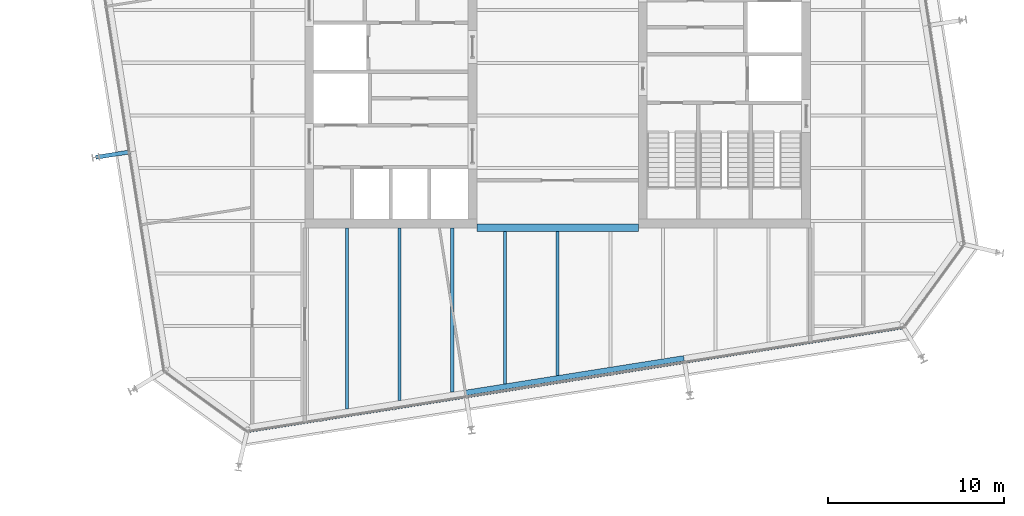
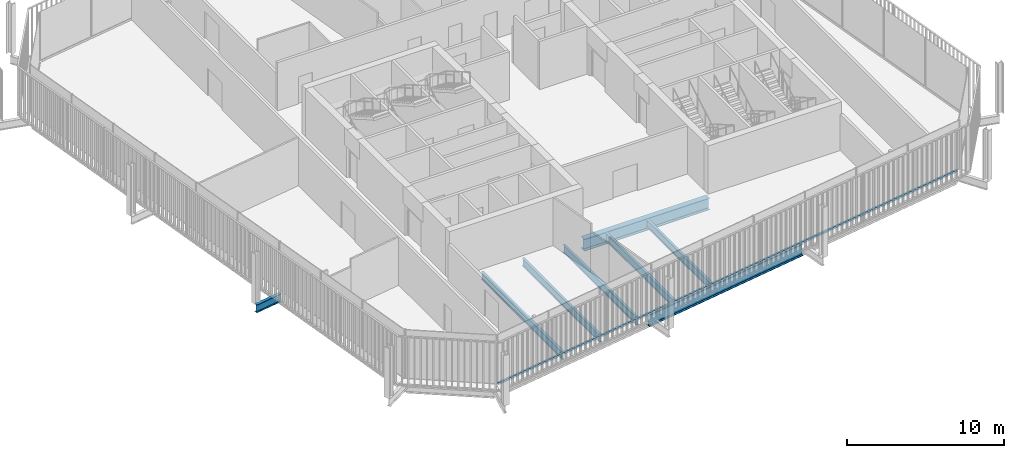
# One storey, part 3 of 20: 8 beams, 1 member, 1 element without a shape of its own.
"""IFC4 building model written with IfcOpenShell, lengths in metres."""

from ifc_helpers import new_model, si_unit, direction, frame, origin, origin_2d, place, context, subcontext, project, spatial, rectangle, i_section, extrude, material, layer, layer_set, material_profile, profile_set, type_object, element, aggregate, save


model = new_model("IFC4")

# Units and contexts
model_context = context("Model", 3, precision=1e-05, world=origin(), true_north=direction((0.0, 1.0)))
body_context = subcontext(model_context, "Body", "Model", "MODEL_VIEW")
ifc_project = project(units=[si_unit("LENGTHUNIT", "METRE"), si_unit("AREAUNIT", "SQUARE_METRE"), si_unit("VOLUMEUNIT", "CUBIC_METRE"), si_unit("PLANEANGLEUNIT", "RADIAN"), si_unit("MASSUNIT", "GRAM", prefix="KILO")], contexts=[model_context])

# Site, building, storey
site_placement = place(None, origin())
site = spatial("IfcSite", under=ifc_project, at=site_placement, CompositionType="ELEMENT")
building_placement = place(site_placement, origin())
building = spatial("IfcBuilding", under=site, at=building_placement, Name="Millrace Tower", CompositionType="ELEMENT")
storey_placement = place(building_placement, frame((0.0, 0.0, 208.60009765625)))
storey = spatial("IfcBuildingStorey", under=building, at=storey_placement, Name="L47", CompositionType="ELEMENT", Elevation=208.60009765625)

# Curtain wall, member
ifc_material_1 = material(Name="Aluminium and glass", Category="aluminium")
ifc_layer = layer(ifc_material_1, 0.14990234375)
ifc_layer_set = layer_set([ifc_layer], Name="Aluminium and glass")
curtain_wall_type = type_object("IfcCurtainWallType", Name="CW-1 office vision curtain wall", PredefinedType="NOTDEFINED", material=ifc_layer_set)
curtain_wall_placement = place(storey_placement, origin())
curtain_wall = element("IfcCurtainWall", 1, at=curtain_wall_placement, inside=storey, type_object=curtain_wall_type, Name="Curtain wall D-F02 L47", PredefinedType="NOTDEFINED")
ifc_material_2 = material(Name="Aluminium", Category="aluminium")
ifc_material_profile_1 = material_profile(ifc_material_2, rectangle(XDim=0.14990234375, YDim=0.139892578125, at=origin_2d()))
ifc_profile_set_1 = profile_set([ifc_material_profile_1], Name="Aluminium")
member_type = type_object("IfcMemberType", Name="CW-1 office vision curtain wall transom", PredefinedType="USERDEFINED", material=ifc_profile_set_1)
member_placement = place(storey_placement, frame((-17.558837890625, -20.98193359375, 0.06982421875), z_axis=(0.987687829698, 0.156437690685, 0.0), x_axis=(-0.156437690685, 0.987687829698, 0.0)))
member = element("IfcMember", 2, at=member_placement, type_object=member_type, Name="CW1 transom D-F02.1", ObjectType="TRANSOM", PredefinedType="USERDEFINED", context=body_context, shape_type="SweptSolid", body=[
    extrude(rectangle(XDim=0.14990234375, YDim=0.139892578125, at=origin_2d()), origin(), (0.0, 0.0, 1.0), 37.60009765625),
])
aggregate(curtain_wall, [member])

# Beams
ifc_material_3 = material(Name="Steel ASTM A992 Grade 50", Category="steel")
ifc_material_profile_2 = material_profile(ifc_material_3, i_section(OverallWidth=0.177978515625, OverallDepth=0.599365234375, WebThickness=0.010009765625, FlangeThickness=0.012939453125, FilletRadius=0.012939453125, at=origin_2d()))
ifc_profile_set_2 = profile_set([ifc_material_profile_2], Name="Steel ASTM A992 Grade 50")
beam_type_1 = type_object("IfcBeamType", Name="Floor beam W24x55", PredefinedType="JOIST", material=ifc_profile_set_2)
beam_1_placement = place(storey_placement, frame((-9.0, -19.2392578125, -0.459716796875), z_axis=(0.0, 1.0, 0.0), x_axis=(-1.0, 0.0, 0.0)))
element("IfcBeam", 3, at=beam_1_placement, inside=storey, type_object=beam_type_1, Name="BM-D-L47-S1-S039", PredefinedType="JOIST", context=body_context, shape_type="SweptSolid", body=[
    extrude(i_section(OverallWidth=0.177978515625, OverallDepth=0.599365234375, WebThickness=0.010009765625, FlangeThickness=0.012939453125, FilletRadius=0.012939453125, at=origin_2d()), origin(), (0.0, 0.0, 1.0), 9.83935546875),
])
beam_2_placement = place(storey_placement, frame((-6.0, -18.763916015625, -0.459716796875), z_axis=(0.0, 1.0, 0.0), x_axis=(-1.0, 0.0, 0.0)))
element("IfcBeam", 4, at=beam_2_placement, inside=storey, type_object=beam_type_1, Name="BM-D-L47-S1-S041", PredefinedType="JOIST", context=body_context, shape_type="SweptSolid", body=[
    extrude(i_section(OverallWidth=0.177978515625, OverallDepth=0.599365234375, WebThickness=0.010009765625, FlangeThickness=0.012939453125, FilletRadius=0.012939453125, at=origin_2d()), origin(), (0.0, 0.0, 1.0), 9.364013671875),
])
beam_3_placement = place(storey_placement, frame((-3.0, -18.288818359375, -0.459716796875), z_axis=(0.0, 1.0, 0.0), x_axis=(-1.0, 0.0, 0.0)))
element("IfcBeam", 5, at=beam_3_placement, inside=storey, type_object=beam_type_1, Name="BM-D-L47-S1-S043", PredefinedType="JOIST", context=body_context, shape_type="SweptSolid", body=[
    extrude(i_section(OverallWidth=0.177978515625, OverallDepth=0.599365234375, WebThickness=0.010009765625, FlangeThickness=0.012939453125, FilletRadius=0.012939453125, at=origin_2d()), origin(), (0.0, 0.0, 1.0), 8.67919921875),
])
beam_4_placement = place(storey_placement, frame((0.0, -17.813720703125, -0.459716796875), z_axis=(0.0, 1.0, 0.0), x_axis=(-1.0, 0.0, 0.0)))
element("IfcBeam", 6, at=beam_4_placement, inside=storey, type_object=beam_type_1, Name="BM-D-L47-S1-S045", PredefinedType="JOIST", context=body_context, shape_type="SweptSolid", body=[
    extrude(i_section(OverallWidth=0.177978515625, OverallDepth=0.599365234375, WebThickness=0.010009765625, FlangeThickness=0.012939453125, FilletRadius=0.012939453125, at=origin_2d()), origin(), (0.0, 0.0, 1.0), 8.2041015625),
])
ifc_material_4 = material(Name="Steel ASTM A992 Grade 50", Category="steel")
ifc_material_profile_3 = material_profile(ifc_material_4, i_section(OverallWidth=0.1787109375, OverallDepth=0.60205078125, WebThickness=0.010986328125, FlangeThickness=0.014892578125, FilletRadius=0.0126953125, at=origin_2d()))
ifc_profile_set_3 = profile_set([ifc_material_profile_3], Name="Steel ASTM A992 Grade 50")
beam_type_2 = type_object("IfcBeamType", Name="Floor beam W24x62", PredefinedType="JOIST", material=ifc_profile_set_3)
beam_5_placement = place(storey_placement, frame((-12.0, -19.71435546875, -0.461181640625), z_axis=(0.0, 1.0, 0.0), x_axis=(-1.0, 0.0, 0.0)))
element("IfcBeam", 7, at=beam_5_placement, inside=storey, type_object=beam_type_2, Name="BM-D-L47-S1-S037", PredefinedType="JOIST", context=body_context, shape_type="SweptSolid", body=[
    extrude(i_section(OverallWidth=0.1787109375, OverallDepth=0.60205078125, WebThickness=0.010986328125, FlangeThickness=0.014892578125, FilletRadius=0.0126953125, at=origin_2d()), origin(), (0.0, 0.0, 1.0), 10.314453125),
])
ifc_material_5 = material(Name="Steel ASTM A992 Grade 50", Category="steel")
ifc_material_profile_4 = material_profile(ifc_material_5, i_section(OverallWidth=0.419189453125, OverallDepth=0.927001953125, WebThickness=0.019287109375, FlangeThickness=0.031982421875, FilletRadius=0.024169921875, at=origin_2d()))
ifc_profile_set_4 = profile_set([ifc_material_profile_4], Name="Steel ASTM A992 Grade 50")
beam_type_3 = type_object("IfcBeamType", Name="Girder short span W36x231", PredefinedType="BEAM", material=ifc_profile_set_4)
beam_6_placement = place(storey_placement, frame((-4.60009765625, -9.39990234375, -0.62353515625), z_axis=(1.0, 0.0, 0.0), x_axis=(0.0, 1.0, 0.0)))
element("IfcBeam", 8, at=beam_6_placement, inside=storey, type_object=beam_type_3, Name="BM-D-L47-S1-G059", PredefinedType="BEAM", context=body_context, shape_type="SweptSolid", body=[
    extrude(i_section(OverallWidth=0.419189453125, OverallDepth=0.927001953125, WebThickness=0.019287109375, FlangeThickness=0.031982421875, FilletRadius=0.024169921875, at=origin_2d()), origin(), (0.0, 0.0, 1.0), 9.2001953125),
])
ifc_material_6 = material(Name="Steel ASTM A992 Grade 50", Category="steel")
ifc_material_profile_5 = material_profile(ifc_material_6, i_section(OverallWidth=0.23046875, OverallDepth=0.6171875, WebThickness=0.01318359375, FlangeThickness=0.022216796875, FilletRadius=0.012939453125, at=origin_2d()))
ifc_profile_set_5 = profile_set([ifc_material_profile_5], Name="Steel ASTM A992 Grade 50")
beam_type_4 = type_object("IfcBeamType", Name="Link beam W24x94", PredefinedType="BEAM", material=ifc_profile_set_5)
beam_7_placement = place(storey_placement, frame((-24.331298828125, -5.0703125, -0.46875), z_axis=(-0.987678691416, -0.156495375404, 0.0), x_axis=(0.156495375404, -0.987678691416, 0.0)))
element("IfcBeam", 9, at=beam_7_placement, inside=storey, type_object=beam_type_4, Name="LNK-D-L47-S1-02", PredefinedType="BEAM", context=body_context, shape_type="SweptSolid", body=[
    extrude(i_section(OverallWidth=0.23046875, OverallDepth=0.6171875, WebThickness=0.01318359375, FlangeThickness=0.022216796875, FilletRadius=0.012939453125, at=origin_2d()), origin(), (0.0, 0.0, 1.0), 2.0),
])
ifc_material_7 = material(Name="Steel ASTM A992 Grade 50", Category="steel")
ifc_material_profile_6 = material_profile(ifc_material_7, i_section(OverallWidth=0.307373046875, OverallDepth=0.927001953125, WebThickness=0.01953125, FlangeThickness=0.031982421875, FilletRadius=0.01904296875, at=origin_2d()))
ifc_profile_set_6 = profile_set([ifc_material_profile_6], Name="Steel ASTM A992 Grade 50")
beam_type_5 = type_object("IfcBeamType", Name="Ring beam medium span W36x194", PredefinedType="SPANDREL", material=ifc_profile_set_6)
beam_8_placement = place(storey_placement, frame((7.1962890625, -16.82958984375, -0.62353515625), z_axis=(-0.987689802912, -0.156425232058, 0.0), x_axis=(0.156425232058, -0.987689802912, 0.0)))
element("IfcBeam", 10, at=beam_8_placement, inside=storey, type_object=beam_type_5, Name="RNG-D-L47-S1-14", PredefinedType="SPANDREL", context=body_context, shape_type="SweptSolid", body=[
    extrude(i_section(OverallWidth=0.307373046875, OverallDepth=0.927001953125, WebThickness=0.01953125, FlangeThickness=0.031982421875, FilletRadius=0.01904296875, at=origin_2d()), origin(), (0.0, 0.0, 1.0), 12.599853515625),
])

save(model, "model.ifc")
